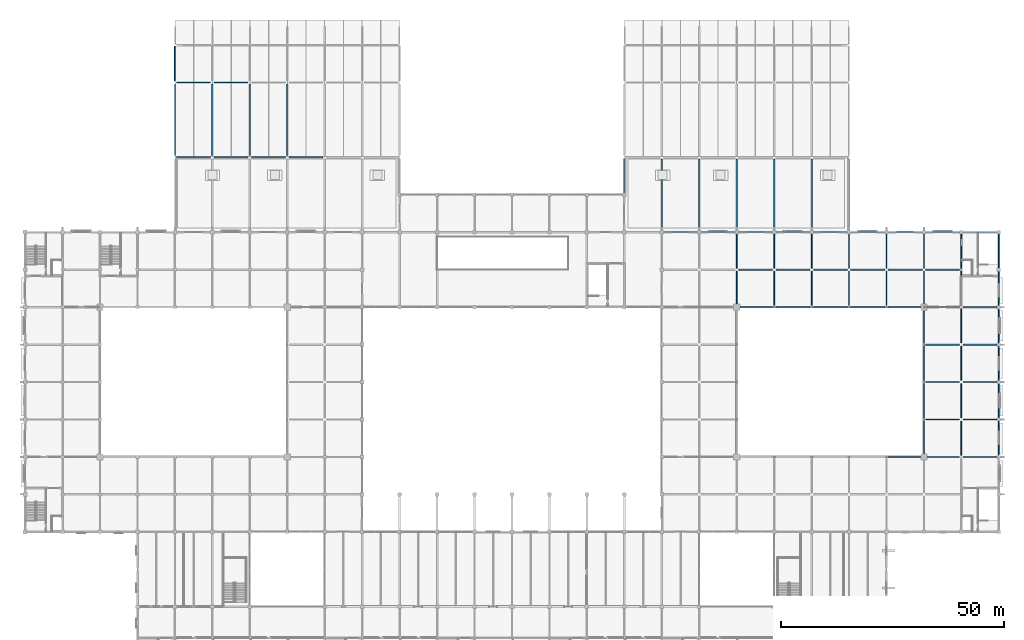
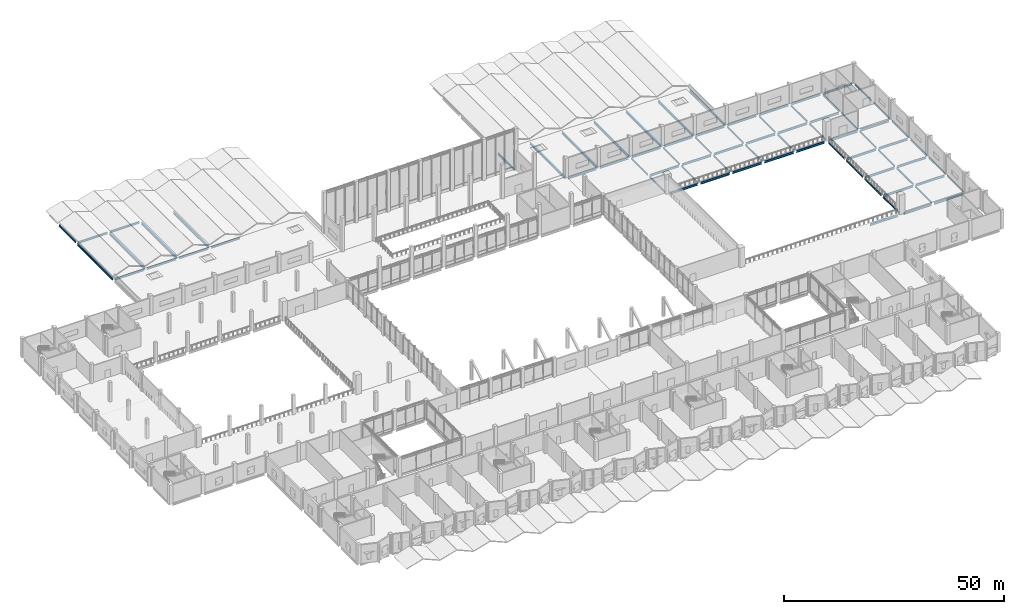
# One storey, part 31 of 72: 77 beams.
"""IFC4 building model written with IfcOpenShell, lengths in metres."""

from ifc_helpers import new_model, si_unit, direction, frame, origin, origin_2d, place, context, subcontext, project, spatial, i_section, extrude, material, material_profile, profile_set, type_object, element, save


model = new_model("IFC4")

# Units and contexts
model_context = context("Model", 3, precision=1e-05, world=origin(), true_north=direction((0.0, 1.0)))
body_context = subcontext(model_context, "Body", "Model", "MODEL_VIEW")
ifc_project = project(units=[si_unit("LENGTHUNIT", "METRE"), si_unit("AREAUNIT", "SQUARE_METRE"), si_unit("VOLUMEUNIT", "CUBIC_METRE"), si_unit("PLANEANGLEUNIT", "RADIAN"), si_unit("MASSUNIT", "GRAM", prefix="KILO")], contexts=[model_context])

# Site, building, storey
site_placement = place(None, origin())
site = spatial("IfcSite", under=ifc_project, at=site_placement, CompositionType="ELEMENT")
building_placement = place(site_placement, origin())
building = spatial("IfcBuilding", under=site, at=building_placement, Name="Qawsi Khor Wholesale Market", CompositionType="ELEMENT")
storey_placement = place(building_placement, frame((0.0, 0.0, 6.0)))
storey = spatial("IfcBuildingStorey", under=building, at=storey_placement, Name="L01", CompositionType="ELEMENT", Elevation=6.0)

# Beams
ifc_material = material(Name="Steel S355", Category="steel")
ifc_material_profile_1 = material_profile(ifc_material, i_section(OverallWidth=0.300048828125, OverallDepth=0.60009765625, WebThickness=0.015380859375, FlangeThickness=0.030029296875, FilletRadius=0.027099609375, at=origin_2d()), Name="HEB 600")
ifc_profile_set_1 = profile_set([ifc_material_profile_1], Name="Steel S355")
beam_type_1 = type_object("IfcBeamType", Name="Heavy Edge Girder HEB 600", PredefinedType="BEAM", material=ifc_profile_set_1)
beam_1_placement = place(storey_placement, frame((160.300048828125, 92.39990234375, -0.570068359375), z_axis=(1.0, 0.0, 0.0), x_axis=(0.0, 1.0, 0.0)))
element("IfcBeam", 1, at=beam_1_placement, inside=storey, type_object=beam_type_1, Name="BM-X-L01-19_+11", PredefinedType="BEAM", context=body_context, shape_type="SweptSolid", body=[
    extrude(i_section(OverallWidth=0.300048828125, OverallDepth=0.60009765625, WebThickness=0.015380859375, FlangeThickness=0.030029296875, FilletRadius=0.027099609375, at=origin_2d()), origin(), (0.0, 0.0, 1.0), 7.324951171875),
])
beam_2_placement = place(storey_placement, frame((168.375, 92.39990234375, -0.570068359375), z_axis=(1.0, 0.0, 0.0), x_axis=(0.0, 1.0, 0.0)))
element("IfcBeam", 2, at=beam_2_placement, inside=storey, type_object=beam_type_1, Name="BM-X-L01-20_+11", PredefinedType="BEAM", context=body_context, shape_type="SweptSolid", body=[
    extrude(i_section(OverallWidth=0.300048828125, OverallDepth=0.60009765625, WebThickness=0.015380859375, FlangeThickness=0.030029296875, FilletRadius=0.027099609375, at=origin_2d()), origin(), (0.0, 0.0, 1.0), 7.64990234375),
])
beam_3_placement = place(storey_placement, frame((176.77490234375, 92.39990234375, -0.570068359375), z_axis=(1.0, 0.0, 0.0), x_axis=(0.0, 1.0, 0.0)))
element("IfcBeam", 3, at=beam_3_placement, inside=storey, type_object=beam_type_1, Name="BM-X-L01-21_+11", PredefinedType="BEAM", context=body_context, shape_type="SweptSolid", body=[
    extrude(i_section(OverallWidth=0.300048828125, OverallDepth=0.60009765625, WebThickness=0.015380859375, FlangeThickness=0.030029296875, FilletRadius=0.027099609375, at=origin_2d()), origin(), (0.0, 0.0, 1.0), 7.650146484375),
])
beam_4_placement = place(storey_placement, frame((185.175048828125, 92.39990234375, -0.570068359375), z_axis=(1.0, 0.0, 0.0), x_axis=(0.0, 1.0, 0.0)))
element("IfcBeam", 4, at=beam_4_placement, inside=storey, type_object=beam_type_1, Name="BM-X-L01-22_+11", PredefinedType="BEAM", context=body_context, shape_type="SweptSolid", body=[
    extrude(i_section(OverallWidth=0.300048828125, OverallDepth=0.60009765625, WebThickness=0.015380859375, FlangeThickness=0.030029296875, FilletRadius=0.027099609375, at=origin_2d()), origin(), (0.0, 0.0, 1.0), 7.64990234375),
])
for number, where, z_axis, x_axis, name in (
    (5, (193.574951171875, 92.39990234375, -0.570068359375), (1.0, 0.0, 0.0), (0.0, 1.0, 0.0), "BM-X-L01-23_+11"),
    (6, (202.300048828125, 92.39990234375, -0.570068359375), (1.0, 0.0, 0.0), (0.0, 1.0, 0.0), "BM-X-L01-24_+11"),
):
    element("IfcBeam", number, at=place(storey_placement, frame(where, z_axis=z_axis, x_axis=x_axis)), inside=storey, type_object=beam_type_1, Name=name, PredefinedType="BEAM", context=body_context, shape_type="SweptSolid", body=[
        extrude(i_section(OverallWidth=0.300048828125, OverallDepth=0.60009765625, WebThickness=0.015380859375, FlangeThickness=0.030029296875, FilletRadius=0.027099609375, at=origin_2d()), origin(), (0.0, 0.0, 1.0), 7.324951171875),
    ])
beam_5_placement = place(storey_placement, frame((210.375, 92.39990234375, -0.570068359375), z_axis=(1.0, 0.0, 0.0), x_axis=(0.0, 1.0, 0.0)))
element("IfcBeam", 7, at=beam_5_placement, inside=storey, type_object=beam_type_1, Name="BM-X-L01-25_+11", PredefinedType="BEAM", context=body_context, shape_type="SweptSolid", body=[
    extrude(i_section(OverallWidth=0.300048828125, OverallDepth=0.60009765625, WebThickness=0.015380859375, FlangeThickness=0.030029296875, FilletRadius=0.027099609375, at=origin_2d()), origin(), (0.0, 0.0, 1.0), 7.574951171875),
])
ifc_material_profile_2 = material_profile(ifc_material, i_section(OverallWidth=0.300048828125, OverallDepth=0.5400390625, WebThickness=0.012451171875, FlangeThickness=0.02392578125, FilletRadius=0.027099609375, at=origin_2d()), Name="HEA 550")
ifc_profile_set_2 = profile_set([ifc_material_profile_2], Name="Steel S355")
beam_type_2 = type_object("IfcBeamType", Name="Primary Girder HEA 550", PredefinedType="BEAM", material=ifc_profile_set_2)
for number, where, z_axis, x_axis, name in (
    (8, (33.97509765625, 126.0, -0.570068359375), (1.0, 0.0, 0.0), (0.0, 1.0, 0.0), "BM-X-L01-04_+15"),
    (9, (33.97509765625, 142.800048828125, -0.570068359375), (1.0, 0.0, 0.0), (0.0, 1.0, 0.0), "BM-X-L01-04_+17"),
    (10, (42.375, 126.0, -0.570068359375), (1.0, 0.0, 0.0), (0.0, 1.0, 0.0), "BM-X-L01-05_+15"),
    (11, (42.375, 142.800048828125, -0.570068359375), (1.0, 0.0, 0.0), (0.0, 1.0, 0.0), "BM-X-L01-05_+17"),
):
    element("IfcBeam", number, at=place(storey_placement, frame(where, z_axis=z_axis, x_axis=x_axis)), inside=storey, type_object=beam_type_2, Name=name, PredefinedType="BEAM", context=body_context, shape_type="SweptSolid", body=[
        extrude(i_section(OverallWidth=0.300048828125, OverallDepth=0.5400390625, WebThickness=0.012451171875, FlangeThickness=0.02392578125, FilletRadius=0.027099609375, at=origin_2d()), origin(), (0.0, 0.0, 1.0), 7.64990234375),
    ])
beam_6_placement = place(storey_placement, frame((50.77490234375, 126.0, -0.570068359375), z_axis=(1.0, 0.0, 0.0), x_axis=(0.0, 1.0, 0.0)))
element("IfcBeam", 12, at=beam_6_placement, inside=storey, type_object=beam_type_2, Name="BM-X-L01-06_+15", PredefinedType="BEAM", context=body_context, shape_type="SweptSolid", body=[
    extrude(i_section(OverallWidth=0.300048828125, OverallDepth=0.5400390625, WebThickness=0.012451171875, FlangeThickness=0.02392578125, FilletRadius=0.027099609375, at=origin_2d()), origin(), (0.0, 0.0, 1.0), 7.650146484375),
])
beam_7_placement = place(storey_placement, frame((59.175048828125, 126.0, -0.570068359375), z_axis=(1.0, 0.0, 0.0), x_axis=(0.0, 1.0, 0.0)))
element("IfcBeam", 13, at=beam_7_placement, inside=storey, type_object=beam_type_2, Name="BM-X-L01-07_+15", PredefinedType="BEAM", context=body_context, shape_type="SweptSolid", body=[
    extrude(i_section(OverallWidth=0.300048828125, OverallDepth=0.5400390625, WebThickness=0.012451171875, FlangeThickness=0.02392578125, FilletRadius=0.027099609375, at=origin_2d()), origin(), (0.0, 0.0, 1.0), 7.64990234375),
])
beam_8_placement = place(storey_placement, frame((143.300048828125, 109.199951171875, -0.570068359375), z_axis=(1.0, 0.0, 0.0), x_axis=(0.0, 1.0, 0.0)))
element("IfcBeam", 14, at=beam_8_placement, inside=storey, type_object=beam_type_2, Name="BM-X-L01-17_+13", PredefinedType="BEAM", context=body_context, shape_type="SweptSolid", body=[
    extrude(i_section(OverallWidth=0.300048828125, OverallDepth=0.5400390625, WebThickness=0.012451171875, FlangeThickness=0.02392578125, FilletRadius=0.027099609375, at=origin_2d()), origin(), (0.0, 0.0, 1.0), 7.449951171875),
])
for number, where, z_axis, x_axis, name in (
    (15, (151.64990234375, 109.199951171875, -0.570068359375), (1.0, 0.0, 0.0), (0.0, 1.0, 0.0), "BM-X-L01-18_+13"),
    (16, (160.050048828125, 109.199951171875, -0.570068359375), (1.0, 0.0, 0.0), (0.0, 1.0, 0.0), "BM-X-L01-19_+13"),
    (17, (168.449951171875, 109.199951171875, -0.570068359375), (1.0, 0.0, 0.0), (0.0, 1.0, 0.0), "BM-X-L01-20_+13"),
    (18, (176.85009765625, 109.199951171875, -0.570068359375), (1.0, 0.0, 0.0), (0.0, 1.0, 0.0), "BM-X-L01-21_+13"),
    (19, (185.25, 109.199951171875, -0.5400390625), (1.0, 0.0, 0.0), (0.0, 1.0, 0.0), "BM-X-L01-22_+13"),
    (20, (193.64990234375, 109.199951171875, -0.5400390625), (1.0, 0.0, 0.0), (0.0, 1.0, 0.0), "BM-X-L01-23_+13"),
    (21, (202.050048828125, 109.199951171875, -0.5400390625), (1.0, 0.0, 0.0), (0.0, 1.0, 0.0), "BM-X-L01-24_+13"),
):
    element("IfcBeam", number, at=place(storey_placement, frame(where, z_axis=z_axis, x_axis=x_axis)), inside=storey, type_object=beam_type_2, Name=name, PredefinedType="BEAM", context=body_context, shape_type="SweptSolid", body=[
        extrude(i_section(OverallWidth=0.300048828125, OverallDepth=0.5400390625, WebThickness=0.012451171875, FlangeThickness=0.02392578125, FilletRadius=0.027099609375, at=origin_2d()), origin(), (0.0, 0.0, 1.0), 7.5),
    ])
beam_9_placement = place(storey_placement, frame((210.449951171875, 109.199951171875, -0.550048828125), z_axis=(1.0, 0.0, 0.0), x_axis=(0.0, 1.0, 0.0)))
element("IfcBeam", 22, at=beam_9_placement, inside=storey, type_object=beam_type_2, Name="BM-X-L01-25_+13", PredefinedType="BEAM", context=body_context, shape_type="SweptSolid", body=[
    extrude(i_section(OverallWidth=0.300048828125, OverallDepth=0.5400390625, WebThickness=0.012451171875, FlangeThickness=0.02392578125, FilletRadius=0.027099609375, at=origin_2d()), origin(), (0.0, 0.0, 1.0), 7.449951171875),
])
ifc_material_profile_3 = material_profile(ifc_material, i_section(OverallWidth=0.300048828125, OverallDepth=0.590087890625, WebThickness=0.012939453125, FlangeThickness=0.02490234375, FilletRadius=0.027099609375, at=origin_2d()), Name="HEA 600")
ifc_profile_set_3 = profile_set([ifc_material_profile_3], Name="Steel S355")
beam_type_3 = type_object("IfcBeamType", Name="Primary Girder HEA 600", PredefinedType="BEAM", material=ifc_profile_set_3)
for number, where, z_axis, x_axis, name in (
    (23, (159.97509765625, 100.800048828125, -0.56494140625), (1.0, 0.0, 0.0), (0.0, 1.0, 0.0), "BM-X-L01-19_+12"),
    (24, (168.375, 100.800048828125, -0.56494140625), (1.0, 0.0, 0.0), (0.0, 1.0, 0.0), "BM-X-L01-20_+12"),
):
    element("IfcBeam", number, at=place(storey_placement, frame(where, z_axis=z_axis, x_axis=x_axis)), inside=storey, type_object=beam_type_3, Name=name, PredefinedType="BEAM", context=body_context, shape_type="SweptSolid", body=[
        extrude(i_section(OverallWidth=0.300048828125, OverallDepth=0.590087890625, WebThickness=0.012939453125, FlangeThickness=0.02490234375, FilletRadius=0.027099609375, at=origin_2d()), origin(), (0.0, 0.0, 1.0), 7.64990234375),
    ])
beam_10_placement = place(storey_placement, frame((176.77490234375, 100.800048828125, -0.56494140625), z_axis=(1.0, 0.0, 0.0), x_axis=(0.0, 1.0, 0.0)))
element("IfcBeam", 25, at=beam_10_placement, inside=storey, type_object=beam_type_3, Name="BM-X-L01-21_+12", PredefinedType="BEAM", context=body_context, shape_type="SweptSolid", body=[
    extrude(i_section(OverallWidth=0.300048828125, OverallDepth=0.590087890625, WebThickness=0.012939453125, FlangeThickness=0.02490234375, FilletRadius=0.027099609375, at=origin_2d()), origin(), (0.0, 0.0, 1.0), 7.650146484375),
])
beam_11_placement = place(storey_placement, frame((185.175048828125, 100.800048828125, -0.56494140625), z_axis=(1.0, 0.0, 0.0), x_axis=(0.0, 1.0, 0.0)))
element("IfcBeam", 26, at=beam_11_placement, inside=storey, type_object=beam_type_3, Name="BM-X-L01-22_+12", PredefinedType="BEAM", context=body_context, shape_type="SweptSolid", body=[
    extrude(i_section(OverallWidth=0.300048828125, OverallDepth=0.590087890625, WebThickness=0.012939453125, FlangeThickness=0.02490234375, FilletRadius=0.027099609375, at=origin_2d()), origin(), (0.0, 0.0, 1.0), 7.64990234375),
])
beam_12_placement = place(storey_placement, frame((193.574951171875, 58.800048828125, -0.56494140625), z_axis=(1.0, 0.0, 0.0), x_axis=(0.0, 1.0, 0.0)))
element("IfcBeam", 27, at=beam_12_placement, inside=storey, type_object=beam_type_3, Name="BM-X-L01-23_+07", PredefinedType="BEAM", context=body_context, shape_type="SweptSolid", body=[
    extrude(i_section(OverallWidth=0.300048828125, OverallDepth=0.590087890625, WebThickness=0.012939453125, FlangeThickness=0.02490234375, FilletRadius=0.027099609375, at=origin_2d()), origin(), (0.0, 0.0, 1.0), 7.324951171875),
])
beam_13_placement = place(storey_placement, frame((193.574951171875, 100.800048828125, -0.56494140625), z_axis=(1.0, 0.0, 0.0), x_axis=(0.0, 1.0, 0.0)))
element("IfcBeam", 28, at=beam_13_placement, inside=storey, type_object=beam_type_3, Name="BM-X-L01-23_+12", PredefinedType="BEAM", context=body_context, shape_type="SweptSolid", body=[
    extrude(i_section(OverallWidth=0.300048828125, OverallDepth=0.590087890625, WebThickness=0.012939453125, FlangeThickness=0.02490234375, FilletRadius=0.027099609375, at=origin_2d()), origin(), (0.0, 0.0, 1.0), 7.650146484375),
])
beam_14_placement = place(storey_placement, frame((202.300048828125, 58.800048828125, -0.56494140625), z_axis=(1.0, 0.0, 0.0), x_axis=(0.0, 1.0, 0.0)))
element("IfcBeam", 29, at=beam_14_placement, inside=storey, type_object=beam_type_3, Name="BM-X-L01-24_+07", PredefinedType="BEAM", context=body_context, shape_type="SweptSolid", body=[
    extrude(i_section(OverallWidth=0.300048828125, OverallDepth=0.590087890625, WebThickness=0.012939453125, FlangeThickness=0.02490234375, FilletRadius=0.027099609375, at=origin_2d()), origin(), (0.0, 0.0, 1.0), 7.324951171875),
])
for number, where, z_axis, x_axis, name in (
    (30, (201.97509765625, 67.199951171875, -0.56494140625), (1.0, 0.0, 0.0), (0.0, 1.0, 0.0), "BM-X-L01-24_+08"),
    (31, (201.97509765625, 75.60009765625, -0.56494140625), (1.0, 0.0, 0.0), (0.0, 1.0, 0.0), "BM-X-L01-24_+09"),
    (32, (201.97509765625, 84.0, -0.56494140625), (1.0, 0.0, 0.0), (0.0, 1.0, 0.0), "BM-X-L01-24_+10"),
    (33, (201.97509765625, 100.800048828125, -0.56494140625), (1.0, 0.0, 0.0), (0.0, 1.0, 0.0), "BM-X-L01-24_+12"),
):
    element("IfcBeam", number, at=place(storey_placement, frame(where, z_axis=z_axis, x_axis=x_axis)), inside=storey, type_object=beam_type_3, Name=name, PredefinedType="BEAM", context=body_context, shape_type="SweptSolid", body=[
        extrude(i_section(OverallWidth=0.300048828125, OverallDepth=0.590087890625, WebThickness=0.012939453125, FlangeThickness=0.02490234375, FilletRadius=0.027099609375, at=origin_2d()), origin(), (0.0, 0.0, 1.0), 7.64990234375),
    ])
for number, where, z_axis, x_axis, name in (
    (34, (210.375, 58.800048828125, -0.56494140625), (1.0, 0.0, 0.0), (0.0, 1.0, 0.0), "BM-X-L01-25_+07"),
    (35, (210.375, 67.199951171875, -0.56494140625), (1.0, 0.0, 0.0), (0.0, 1.0, 0.0), "BM-X-L01-25_+08"),
    (36, (210.375, 75.60009765625, -0.56494140625), (1.0, 0.0, 0.0), (0.0, 1.0, 0.0), "BM-X-L01-25_+09"),
    (37, (210.375, 84.0, -0.56494140625), (1.0, 0.0, 0.0), (0.0, 1.0, 0.0), "BM-X-L01-25_+10"),
):
    element("IfcBeam", number, at=place(storey_placement, frame(where, z_axis=z_axis, x_axis=x_axis)), inside=storey, type_object=beam_type_3, Name=name, PredefinedType="BEAM", context=body_context, shape_type="SweptSolid", body=[
        extrude(i_section(OverallWidth=0.300048828125, OverallDepth=0.590087890625, WebThickness=0.012939453125, FlangeThickness=0.02490234375, FilletRadius=0.027099609375, at=origin_2d()), origin(), (0.0, 0.0, 1.0), 7.574951171875),
    ])
ifc_material_profile_4 = material_profile(ifc_material, i_section(OverallWidth=0.300048828125, OverallDepth=0.639892578125, WebThickness=0.013427734375, FlangeThickness=0.02587890625, FilletRadius=0.027099609375, at=origin_2d()), Name="HEA 650")
ifc_profile_set_4 = profile_set([ifc_material_profile_4], Name="Steel S355")
beam_type_4 = type_object("IfcBeamType", Name="Primary Girder HEA 650", PredefinedType="BEAM", material=ifc_profile_set_4)
for number, where, z_axis, x_axis, name in (
    (38, (33.60009765625, 126.375, -0.6201171875), (0.0, 1.0, 0.0), (-1.0, 0.0, 0.0), "BM-YL-L01-04_+15"),
    (39, (42.0, 126.375, -0.6201171875), (0.0, 1.0, 0.0), (-1.0, 0.0, 0.0), "BM-YL-L01-05_+15"),
    (40, (50.39990234375, 126.375, -0.6201171875), (0.0, 1.0, 0.0), (-1.0, 0.0, 0.0), "BM-YL-L01-06_+15"),
    (41, (58.800048828125, 126.375, -0.6201171875), (0.0, 1.0, 0.0), (-1.0, 0.0, 0.0), "BM-YL-L01-07_+15"),
):
    element("IfcBeam", number, at=place(storey_placement, frame(where, z_axis=z_axis, x_axis=x_axis)), inside=storey, type_object=beam_type_4, Name=name, PredefinedType="BEAM", context=body_context, shape_type="SweptSolid", body=[
        extrude(i_section(OverallWidth=0.300048828125, OverallDepth=0.639892578125, WebThickness=0.013427734375, FlangeThickness=0.02587890625, FilletRadius=0.027099609375, at=origin_2d()), origin(), (0.0, 0.0, 1.0), 16.050048828125),
    ])
beam_15_placement = place(storey_placement, frame((142.800048828125, 109.699951171875, -0.6201171875), z_axis=(0.0, 1.0, 0.0), x_axis=(-1.0, 0.0, 0.0)))
element("IfcBeam", 42, at=beam_15_placement, inside=storey, type_object=beam_type_4, Name="BM-YL-L01-17_+13", PredefinedType="BEAM", context=body_context, shape_type="SweptSolid", body=[
    extrude(i_section(OverallWidth=0.300048828125, OverallDepth=0.639892578125, WebThickness=0.013427734375, FlangeThickness=0.02587890625, FilletRadius=0.027099609375, at=origin_2d()), origin(), (0.0, 0.0, 1.0), 15.925048828125),
])
for number, where, z_axis, x_axis, name in (
    (43, (151.199951171875, 109.64990234375, -0.6201171875), (0.0, 1.0, 0.0), (-1.0, 0.0, 0.0), "BM-YL-L01-18_+13"),
    (44, (159.60009765625, 109.64990234375, -0.6201171875), (0.0, 1.0, 0.0), (-1.0, 0.0, 0.0), "BM-YL-L01-19_+13"),
    (45, (168.0, 109.64990234375, -0.6201171875), (0.0, 1.0, 0.0), (-1.0, 0.0, 0.0), "BM-YL-L01-20_+13"),
    (46, (176.39990234375, 109.64990234375, -0.6201171875), (0.0, 1.0, 0.0), (-1.0, 0.0, 0.0), "BM-YL-L01-21_+13"),
    (47, (184.800048828125, 109.64990234375, -0.6201171875), (0.0, 1.0, 0.0), (-1.0, 0.0, 0.0), "BM-YL-L01-22_+13"),
):
    element("IfcBeam", number, at=place(storey_placement, frame(where, z_axis=z_axis, x_axis=x_axis)), inside=storey, type_object=beam_type_4, Name=name, PredefinedType="BEAM", context=body_context, shape_type="SweptSolid", body=[
        extrude(i_section(OverallWidth=0.300048828125, OverallDepth=0.639892578125, WebThickness=0.013427734375, FlangeThickness=0.02587890625, FilletRadius=0.027099609375, at=origin_2d()), origin(), (0.0, 0.0, 1.0), 15.97509765625),
    ])
ifc_material_profile_5 = material_profile(ifc_material, i_section(OverallWidth=0.18994140625, OverallDepth=0.449951171875, WebThickness=0.009521484375, FlangeThickness=0.0146484375, FilletRadius=0.02099609375, at=origin_2d()), Name="IPE 450")
ifc_profile_set_5 = profile_set([ifc_material_profile_5], Name="Steel S355")
beam_type_5 = type_object("IfcBeamType", Name="Secondary Beam IPE 450", PredefinedType="BEAM", material=ifc_profile_set_5)
beam_16_placement = place(storey_placement, frame((159.60009765625, 93.10009765625, -0.4951171875), z_axis=(0.0, 1.0, 0.0), x_axis=(-1.0, 0.0, 0.0)))
element("IfcBeam", 48, at=beam_16_placement, inside=storey, type_object=beam_type_5, Name="BM-Y-L01-19_+11", PredefinedType="BEAM", context=body_context, shape_type="SweptSolid", body=[
    extrude(i_section(OverallWidth=0.18994140625, OverallDepth=0.449951171875, WebThickness=0.009521484375, FlangeThickness=0.0146484375, FilletRadius=0.02099609375, at=origin_2d()), origin(), (0.0, 0.0, 1.0), 7.324951171875),
])
beam_17_placement = place(storey_placement, frame((159.60009765625, 101.175048828125, -0.4951171875), z_axis=(0.0, 1.0, 0.0), x_axis=(-1.0, 0.0, 0.0)))
element("IfcBeam", 49, at=beam_17_placement, inside=storey, type_object=beam_type_5, Name="BM-Y-L01-19_+12", PredefinedType="BEAM", context=body_context, shape_type="SweptSolid", body=[
    extrude(i_section(OverallWidth=0.18994140625, OverallDepth=0.449951171875, WebThickness=0.009521484375, FlangeThickness=0.0146484375, FilletRadius=0.02099609375, at=origin_2d()), origin(), (0.0, 0.0, 1.0), 7.574951171875),
])
beam_18_placement = place(storey_placement, frame((168.0, 92.77490234375, -0.4951171875), z_axis=(0.0, 1.0, 0.0), x_axis=(-1.0, 0.0, 0.0)))
element("IfcBeam", 50, at=beam_18_placement, inside=storey, type_object=beam_type_5, Name="BM-Y-L01-20_+11", PredefinedType="BEAM", context=body_context, shape_type="SweptSolid", body=[
    extrude(i_section(OverallWidth=0.18994140625, OverallDepth=0.449951171875, WebThickness=0.009521484375, FlangeThickness=0.0146484375, FilletRadius=0.02099609375, at=origin_2d()), origin(), (0.0, 0.0, 1.0), 7.650146484375),
])
beam_19_placement = place(storey_placement, frame((168.0, 101.175048828125, -0.4951171875), z_axis=(0.0, 1.0, 0.0), x_axis=(-1.0, 0.0, 0.0)))
element("IfcBeam", 51, at=beam_19_placement, inside=storey, type_object=beam_type_5, Name="BM-Y-L01-20_+12", PredefinedType="BEAM", context=body_context, shape_type="SweptSolid", body=[
    extrude(i_section(OverallWidth=0.18994140625, OverallDepth=0.449951171875, WebThickness=0.009521484375, FlangeThickness=0.0146484375, FilletRadius=0.02099609375, at=origin_2d()), origin(), (0.0, 0.0, 1.0), 7.574951171875),
])
beam_20_placement = place(storey_placement, frame((176.39990234375, 92.77490234375, -0.4951171875), z_axis=(0.0, 1.0, 0.0), x_axis=(-1.0, 0.0, 0.0)))
element("IfcBeam", 52, at=beam_20_placement, inside=storey, type_object=beam_type_5, Name="BM-Y-L01-21_+11", PredefinedType="BEAM", context=body_context, shape_type="SweptSolid", body=[
    extrude(i_section(OverallWidth=0.18994140625, OverallDepth=0.449951171875, WebThickness=0.009521484375, FlangeThickness=0.0146484375, FilletRadius=0.02099609375, at=origin_2d()), origin(), (0.0, 0.0, 1.0), 7.650146484375),
])
beam_21_placement = place(storey_placement, frame((176.39990234375, 101.175048828125, -0.4951171875), z_axis=(0.0, 1.0, 0.0), x_axis=(-1.0, 0.0, 0.0)))
element("IfcBeam", 53, at=beam_21_placement, inside=storey, type_object=beam_type_5, Name="BM-Y-L01-21_+12", PredefinedType="BEAM", context=body_context, shape_type="SweptSolid", body=[
    extrude(i_section(OverallWidth=0.18994140625, OverallDepth=0.449951171875, WebThickness=0.009521484375, FlangeThickness=0.0146484375, FilletRadius=0.02099609375, at=origin_2d()), origin(), (0.0, 0.0, 1.0), 7.574951171875),
])
beam_22_placement = place(storey_placement, frame((184.800048828125, 92.77490234375, -0.4951171875), z_axis=(0.0, 1.0, 0.0), x_axis=(-1.0, 0.0, 0.0)))
element("IfcBeam", 54, at=beam_22_placement, inside=storey, type_object=beam_type_5, Name="BM-Y-L01-22_+11", PredefinedType="BEAM", context=body_context, shape_type="SweptSolid", body=[
    extrude(i_section(OverallWidth=0.18994140625, OverallDepth=0.449951171875, WebThickness=0.009521484375, FlangeThickness=0.0146484375, FilletRadius=0.02099609375, at=origin_2d()), origin(), (0.0, 0.0, 1.0), 7.650146484375),
])
beam_23_placement = place(storey_placement, frame((184.800048828125, 101.175048828125, -0.4951171875), z_axis=(0.0, 1.0, 0.0), x_axis=(-1.0, 0.0, 0.0)))
element("IfcBeam", 55, at=beam_23_placement, inside=storey, type_object=beam_type_5, Name="BM-Y-L01-22_+12", PredefinedType="BEAM", context=body_context, shape_type="SweptSolid", body=[
    extrude(i_section(OverallWidth=0.18994140625, OverallDepth=0.449951171875, WebThickness=0.009521484375, FlangeThickness=0.0146484375, FilletRadius=0.02099609375, at=origin_2d()), origin(), (0.0, 0.0, 1.0), 7.574951171875),
])
beam_24_placement = place(storey_placement, frame((193.199951171875, 92.77490234375, -0.4951171875), z_axis=(0.0, 1.0, 0.0), x_axis=(-1.0, 0.0, 0.0)))
element("IfcBeam", 56, at=beam_24_placement, inside=storey, type_object=beam_type_5, Name="BM-Y-L01-23_+11", PredefinedType="BEAM", context=body_context, shape_type="SweptSolid", body=[
    extrude(i_section(OverallWidth=0.18994140625, OverallDepth=0.449951171875, WebThickness=0.009521484375, FlangeThickness=0.0146484375, FilletRadius=0.02099609375, at=origin_2d()), origin(), (0.0, 0.0, 1.0), 7.650146484375),
])
beam_25_placement = place(storey_placement, frame((193.199951171875, 101.175048828125, -0.4951171875), z_axis=(0.0, 1.0, 0.0), x_axis=(-1.0, 0.0, 0.0)))
element("IfcBeam", 57, at=beam_25_placement, inside=storey, type_object=beam_type_5, Name="BM-Y-L01-23_+12", PredefinedType="BEAM", context=body_context, shape_type="SweptSolid", body=[
    extrude(i_section(OverallWidth=0.18994140625, OverallDepth=0.449951171875, WebThickness=0.009521484375, FlangeThickness=0.0146484375, FilletRadius=0.02099609375, at=origin_2d()), origin(), (0.0, 0.0, 1.0), 7.574951171875),
])
beam_26_placement = place(storey_placement, frame((201.60009765625, 59.5, -0.4951171875), z_axis=(0.0, 1.0, 0.0), x_axis=(-1.0, 0.0, 0.0)))
element("IfcBeam", 58, at=beam_26_placement, inside=storey, type_object=beam_type_5, Name="BM-Y-L01-24_+07", PredefinedType="BEAM", context=body_context, shape_type="SweptSolid", body=[
    extrude(i_section(OverallWidth=0.18994140625, OverallDepth=0.449951171875, WebThickness=0.009521484375, FlangeThickness=0.0146484375, FilletRadius=0.02099609375, at=origin_2d()), origin(), (0.0, 0.0, 1.0), 7.324951171875),
])
beam_27_placement = place(storey_placement, frame((201.60009765625, 67.574951171875, -0.4951171875), z_axis=(0.0, 1.0, 0.0), x_axis=(-1.0, 0.0, 0.0)))
element("IfcBeam", 59, at=beam_27_placement, inside=storey, type_object=beam_type_5, Name="BM-Y-L01-24_+08", PredefinedType="BEAM", context=body_context, shape_type="SweptSolid", body=[
    extrude(i_section(OverallWidth=0.18994140625, OverallDepth=0.449951171875, WebThickness=0.009521484375, FlangeThickness=0.0146484375, FilletRadius=0.02099609375, at=origin_2d()), origin(), (0.0, 0.0, 1.0), 7.650146484375),
])
beam_28_placement = place(storey_placement, frame((201.60009765625, 75.97509765625, -0.4951171875), z_axis=(0.0, 1.0, 0.0), x_axis=(-1.0, 0.0, 0.0)))
element("IfcBeam", 60, at=beam_28_placement, inside=storey, type_object=beam_type_5, Name="BM-Y-L01-24_+09", PredefinedType="BEAM", context=body_context, shape_type="SweptSolid", body=[
    extrude(i_section(OverallWidth=0.18994140625, OverallDepth=0.449951171875, WebThickness=0.009521484375, FlangeThickness=0.0146484375, FilletRadius=0.02099609375, at=origin_2d()), origin(), (0.0, 0.0, 1.0), 7.64990234375),
])
for number, where, z_axis, x_axis, name in (
    (61, (201.60009765625, 84.375, -0.4951171875), (0.0, 1.0, 0.0), (-1.0, 0.0, 0.0), "BM-Y-L01-24_+10"),
    (62, (201.60009765625, 93.10009765625, -0.4951171875), (0.0, 1.0, 0.0), (-1.0, 0.0, 0.0), "BM-Y-L01-24_+11"),
):
    element("IfcBeam", number, at=place(storey_placement, frame(where, z_axis=z_axis, x_axis=x_axis)), inside=storey, type_object=beam_type_5, Name=name, PredefinedType="BEAM", context=body_context, shape_type="SweptSolid", body=[
        extrude(i_section(OverallWidth=0.18994140625, OverallDepth=0.449951171875, WebThickness=0.009521484375, FlangeThickness=0.0146484375, FilletRadius=0.02099609375, at=origin_2d()), origin(), (0.0, 0.0, 1.0), 7.324951171875),
    ])
beam_29_placement = place(storey_placement, frame((201.60009765625, 101.175048828125, -0.4951171875), z_axis=(0.0, 1.0, 0.0), x_axis=(-1.0, 0.0, 0.0)))
element("IfcBeam", 63, at=beam_29_placement, inside=storey, type_object=beam_type_5, Name="BM-Y-L01-24_+12", PredefinedType="BEAM", context=body_context, shape_type="SweptSolid", body=[
    extrude(i_section(OverallWidth=0.18994140625, OverallDepth=0.449951171875, WebThickness=0.009521484375, FlangeThickness=0.0146484375, FilletRadius=0.02099609375, at=origin_2d()), origin(), (0.0, 0.0, 1.0), 7.574951171875),
])
beam_30_placement = place(storey_placement, frame((210.0, 59.175048828125, -0.4951171875), z_axis=(0.0, 1.0, 0.0), x_axis=(-1.0, 0.0, 0.0)))
element("IfcBeam", 64, at=beam_30_placement, inside=storey, type_object=beam_type_5, Name="BM-Y-L01-25_+07", PredefinedType="BEAM", context=body_context, shape_type="SweptSolid", body=[
    extrude(i_section(OverallWidth=0.18994140625, OverallDepth=0.449951171875, WebThickness=0.009521484375, FlangeThickness=0.0146484375, FilletRadius=0.02099609375, at=origin_2d()), origin(), (0.0, 0.0, 1.0), 7.64990234375),
])
beam_31_placement = place(storey_placement, frame((210.0, 67.574951171875, -0.4951171875), z_axis=(0.0, 1.0, 0.0), x_axis=(-1.0, 0.0, 0.0)))
element("IfcBeam", 65, at=beam_31_placement, inside=storey, type_object=beam_type_5, Name="BM-Y-L01-25_+08", PredefinedType="BEAM", context=body_context, shape_type="SweptSolid", body=[
    extrude(i_section(OverallWidth=0.18994140625, OverallDepth=0.449951171875, WebThickness=0.009521484375, FlangeThickness=0.0146484375, FilletRadius=0.02099609375, at=origin_2d()), origin(), (0.0, 0.0, 1.0), 7.650146484375),
])
for number, where, z_axis, x_axis, name in (
    (66, (210.0, 75.97509765625, -0.4951171875), (0.0, 1.0, 0.0), (-1.0, 0.0, 0.0), "BM-Y-L01-25_+09"),
    (67, (210.0, 84.375, -0.4951171875), (0.0, 1.0, 0.0), (-1.0, 0.0, 0.0), "BM-Y-L01-25_+10"),
):
    element("IfcBeam", number, at=place(storey_placement, frame(where, z_axis=z_axis, x_axis=x_axis)), inside=storey, type_object=beam_type_5, Name=name, PredefinedType="BEAM", context=body_context, shape_type="SweptSolid", body=[
        extrude(i_section(OverallWidth=0.18994140625, OverallDepth=0.449951171875, WebThickness=0.009521484375, FlangeThickness=0.0146484375, FilletRadius=0.02099609375, at=origin_2d()), origin(), (0.0, 0.0, 1.0), 7.64990234375),
    ])
beam_32_placement = place(storey_placement, frame((210.0, 92.77490234375, -0.4951171875), z_axis=(0.0, 1.0, 0.0), x_axis=(-1.0, 0.0, 0.0)))
element("IfcBeam", 68, at=beam_32_placement, inside=storey, type_object=beam_type_5, Name="BM-Y-L01-25_+11", PredefinedType="BEAM", context=body_context, shape_type="SweptSolid", body=[
    extrude(i_section(OverallWidth=0.18994140625, OverallDepth=0.449951171875, WebThickness=0.009521484375, FlangeThickness=0.0146484375, FilletRadius=0.02099609375, at=origin_2d()), origin(), (0.0, 0.0, 1.0), 7.650146484375),
])
beam_33_placement = place(storey_placement, frame((210.0, 101.175048828125, -0.5048828125), z_axis=(0.0, 1.0, 0.0), x_axis=(-1.0, 0.0, 0.0)))
element("IfcBeam", 69, at=beam_33_placement, inside=storey, type_object=beam_type_5, Name="BM-Y-L01-25_+12", PredefinedType="BEAM", context=body_context, shape_type="SweptSolid", body=[
    extrude(i_section(OverallWidth=0.18994140625, OverallDepth=0.449951171875, WebThickness=0.009521484375, FlangeThickness=0.0146484375, FilletRadius=0.02099609375, at=origin_2d()), origin(), (0.0, 0.0, 1.0), 7.574951171875),
])
for number, where, z_axis, x_axis, name in (
    (70, (218.39990234375, 59.25, -0.4951171875), (0.0, 1.0, 0.0), (-1.0, 0.0, 0.0), "BM-Y-L01-26_+07"),
    (71, (218.39990234375, 67.64990234375, -0.4951171875), (0.0, 1.0, 0.0), (-1.0, 0.0, 0.0), "BM-Y-L01-26_+08"),
    (72, (218.39990234375, 76.050048828125, -0.4951171875), (0.0, 1.0, 0.0), (-1.0, 0.0, 0.0), "BM-Y-L01-26_+09"),
    (73, (218.39990234375, 84.449951171875, -0.4951171875), (0.0, 1.0, 0.0), (-1.0, 0.0, 0.0), "BM-Y-L01-26_+10"),
    (74, (218.39990234375, 92.85009765625, -0.4951171875), (0.0, 1.0, 0.0), (-1.0, 0.0, 0.0), "BM-Y-L01-26_+11"),
):
    element("IfcBeam", number, at=place(storey_placement, frame(where, z_axis=z_axis, x_axis=x_axis)), inside=storey, type_object=beam_type_5, Name=name, PredefinedType="BEAM", context=body_context, shape_type="SweptSolid", body=[
        extrude(i_section(OverallWidth=0.18994140625, OverallDepth=0.449951171875, WebThickness=0.009521484375, FlangeThickness=0.0146484375, FilletRadius=0.02099609375, at=origin_2d()), origin(), (0.0, 0.0, 1.0), 7.5),
    ])
beam_34_placement = place(storey_placement, frame((218.39990234375, 101.25, -0.5048828125), z_axis=(0.0, 1.0, 0.0), x_axis=(-1.0, 0.0, 0.0)))
element("IfcBeam", 75, at=beam_34_placement, inside=storey, type_object=beam_type_5, Name="BM-Y-L01-26_+12", PredefinedType="BEAM", context=body_context, shape_type="SweptSolid", body=[
    extrude(i_section(OverallWidth=0.18994140625, OverallDepth=0.449951171875, WebThickness=0.009521484375, FlangeThickness=0.0146484375, FilletRadius=0.02099609375, at=origin_2d()), origin(), (0.0, 0.0, 1.0), 7.449951171875),
])
ifc_material_profile_6 = material_profile(ifc_material, i_section(OverallWidth=0.199951171875, OverallDepth=0.5, WebThickness=0.01025390625, FlangeThickness=0.01611328125, FilletRadius=0.02099609375, at=origin_2d()), Name="IPE 500")
ifc_profile_set_6 = profile_set([ifc_material_profile_6], Name="Steel S355")
beam_type_6 = type_object("IfcBeamType", Name="Secondary Beam IPE 500", PredefinedType="BEAM", material=ifc_profile_set_6)
beam_35_placement = place(storey_placement, frame((33.60009765625, 143.175048828125, -0.550048828125), z_axis=(0.0, 1.0, 0.0), x_axis=(-1.0, 0.0, 0.0)))
element("IfcBeam", 76, at=beam_35_placement, inside=storey, type_object=beam_type_6, Name="BM-Y-L01-04_+17", PredefinedType="BEAM", context=body_context, shape_type="SweptSolid", body=[
    extrude(i_section(OverallWidth=0.199951171875, OverallDepth=0.5, WebThickness=0.01025390625, FlangeThickness=0.01611328125, FilletRadius=0.02099609375, at=origin_2d()), origin(), (0.0, 0.0, 1.0), 7.699951171875),
])
ifc_material_profile_7 = material_profile(ifc_material, i_section(OverallWidth=0.219970703125, OverallDepth=0.60009765625, WebThickness=0.011962890625, FlangeThickness=0.01904296875, FilletRadius=0.02392578125, at=origin_2d()), Name="IPE 600")
ifc_profile_set_7 = profile_set([ifc_material_profile_7], Name="Steel S355")
beam_type_7 = type_object("IfcBeamType", Name="Secondary Beam IPE 600", PredefinedType="BEAM", material=ifc_profile_set_7)
beam_36_placement = place(storey_placement, frame((134.39990234375, 118.050048828125, -0.60009765625), z_axis=(0.0, 1.0, 0.0), x_axis=(-1.0, 0.0, 0.0)))
element("IfcBeam", 77, at=beam_36_placement, inside=storey, type_object=beam_type_7, Name="BM-Y-L01-16_+14", PredefinedType="BEAM", context=body_context, shape_type="SweptSolid", body=[
    extrude(i_section(OverallWidth=0.219970703125, OverallDepth=0.60009765625, WebThickness=0.011962890625, FlangeThickness=0.01904296875, FilletRadius=0.02392578125, at=origin_2d()), origin(), (0.0, 0.0, 1.0), 7.574951171875),
])

save(model, "model.ifc")
